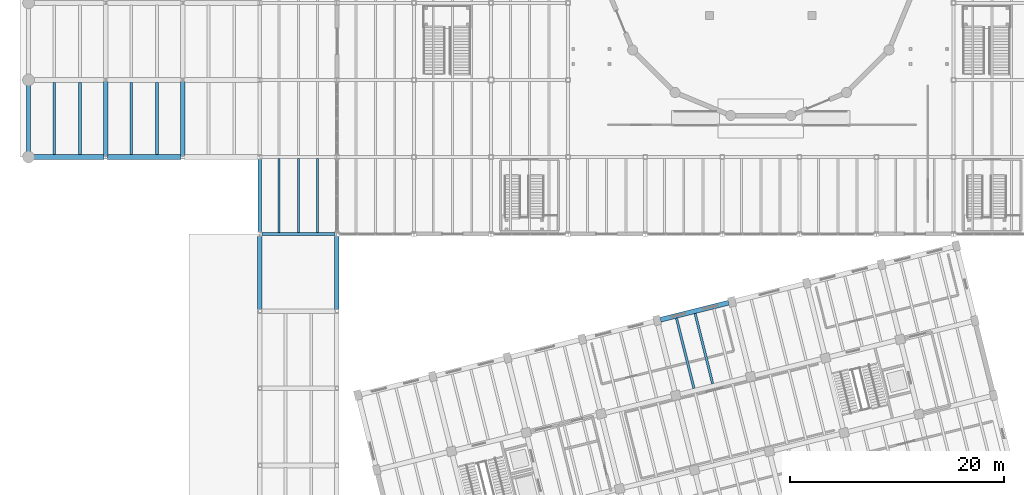
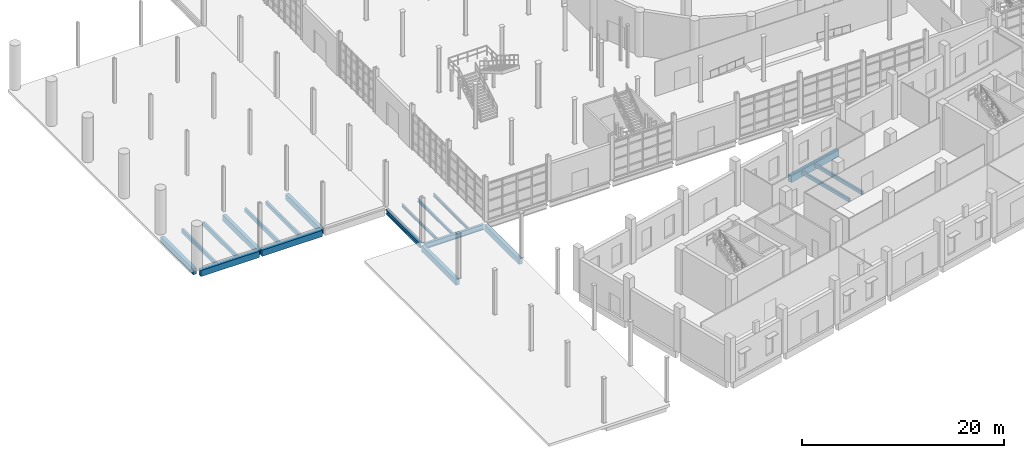
# One storey, part 19 of 79: 19 beams.
"""IFC4 building model written with IfcOpenShell, lengths in metres."""

from ifc_helpers import new_model, si_unit, direction, frame, origin, origin_2d, place, context, subcontext, project, spatial, rectangle, i_section, extrude, material, material_profile, profile_set, type_object, element, save


model = new_model("IFC4")

# Units and contexts
model_context = context("Model", 3, precision=1e-05, world=origin(), true_north=direction((0.0, 1.0)))
body_context = subcontext(model_context, "Body", "Model", "MODEL_VIEW")
ifc_project = project(units=[si_unit("LENGTHUNIT", "METRE"), si_unit("AREAUNIT", "SQUARE_METRE"), si_unit("VOLUMEUNIT", "CUBIC_METRE"), si_unit("PLANEANGLEUNIT", "RADIAN"), si_unit("MASSUNIT", "GRAM", prefix="KILO")], contexts=[model_context])

# Site, building, storey
site_placement = place(None, origin())
site = spatial("IfcSite", under=ifc_project, at=site_placement, CompositionType="ELEMENT")
building_placement = place(site_placement, origin())
building = spatial("IfcBuilding", under=site, at=building_placement, Name="Qiaolan Assembly House", CompositionType="ELEMENT")
storey_placement = place(building_placement, origin())
storey = spatial("IfcBuildingStorey", under=building, at=storey_placement, Name="L00", CompositionType="ELEMENT", Elevation=0.0)

# Beams
ifc_material_1 = material(Name="Concrete C40/50", Category="concrete")
ifc_material_profile_1 = material_profile(ifc_material_1, rectangle(XDim=0.39990234375, YDim=0.699951171875, at=origin_2d()), Name="RCB 400x700")
ifc_profile_set_1 = profile_set([ifc_material_profile_1], Name="Concrete C40/50")
beam_type_1 = type_object("IfcBeamType", Name="BM-RC-400x700", PredefinedType="BEAM", material=ifc_profile_set_1)
for number, where, z_axis, x_axis, name in (
    (1, (21.60009765625, 28.965087890625, -0.64990234375), (0.0, 1.0, 0.0), (-1.0, 0.0, 0.0), "GB-05 beam BMY-PS-L00-00-04"),
    (2, (28.800048828125, 28.965087890625, -0.64990234375), (0.0, 1.0, 0.0), (-1.0, 0.0, 0.0), "GB-05 beam BMY-PS-L00-01-04"),
):
    element("IfcBeam", number, at=place(storey_placement, frame(where, z_axis=z_axis, x_axis=x_axis)), inside=storey, type_object=beam_type_1, Name=name, PredefinedType="BEAM", context=body_context, shape_type="SweptSolid", body=[
        extrude(rectangle(XDim=0.39990234375, YDim=0.699951171875, at=origin_2d()), origin(), (0.0, 0.0, 1.0), 6.844970703125),
    ])
beam_1_placement = place(storey_placement, frame((0.0, 43.56494140625, -0.64990234375), z_axis=(0.0, 1.0, 0.0), x_axis=(-1.0, 0.0, 0.0)))
element("IfcBeam", 3, at=beam_1_placement, inside=storey, type_object=beam_type_1, Name="GB-05 beam BMY-PT0-L00-00-00", PredefinedType="BEAM", context=body_context, shape_type="SweptSolid", body=[
    extrude(rectangle(XDim=0.39990234375, YDim=0.699951171875, at=origin_2d()), origin(), (0.0, 0.0, 1.0), 6.469970703125),
])
for number, where, z_axis, x_axis, name in (
    (4, (7.199951171875, 43.340087890625, -0.64990234375), (0.0, 1.0, 0.0), (-1.0, 0.0, 0.0), "GB-05 beam BMY-PT0-L00-01-00"),
    (5, (14.39990234375, 43.340087890625, -0.64990234375), (0.0, 1.0, 0.0), (-1.0, 0.0, 0.0), "GB-05 beam BMY-PT0-L00-02-00"),
):
    element("IfcBeam", number, at=place(storey_placement, frame(where, z_axis=z_axis, x_axis=x_axis)), inside=storey, type_object=beam_type_1, Name=name, PredefinedType="BEAM", context=body_context, shape_type="SweptSolid", body=[
        extrude(rectangle(XDim=0.39990234375, YDim=0.699951171875, at=origin_2d()), origin(), (0.0, 0.0, 1.0), 6.919921875),
    ])
ifc_material_profile_2 = material_profile(ifc_material_1, rectangle(XDim=0.449951171875, YDim=0.75, at=origin_2d()), Name="RCB 450x750")
ifc_profile_set_2 = profile_set([ifc_material_profile_2], Name="Concrete C40/50")
beam_type_2 = type_object("IfcBeamType", Name="BM-RC-450x750", PredefinedType="BEAM", material=ifc_profile_set_2)
beam_2_placement = place(storey_placement, frame((0.364990234375, 43.199951171875, -0.675048828125), z_axis=(1.0, 0.0, 0.0), x_axis=(0.0, 1.0, 0.0)))
element("IfcBeam", 6, at=beam_2_placement, inside=storey, type_object=beam_type_2, Name="GB-04 beam BMX-PT0-L00-00-00", PredefinedType="BEAM", context=body_context, shape_type="SweptSolid", body=[
    extrude(rectangle(XDim=0.449951171875, YDim=0.75, at=origin_2d()), origin(), (0.0, 0.0, 1.0), 6.695068359375),
])
beam_3_placement = place(storey_placement, frame((7.340087890625, 43.199951171875, -0.675048828125), z_axis=(1.0, 0.0, 0.0), x_axis=(0.0, 1.0, 0.0)))
element("IfcBeam", 7, at=beam_3_placement, inside=storey, type_object=beam_type_2, Name="GB-04 beam BMX-PT0-L00-01-00", PredefinedType="BEAM", context=body_context, shape_type="SweptSolid", body=[
    extrude(rectangle(XDim=0.449951171875, YDim=0.75, at=origin_2d()), origin(), (0.0, 0.0, 1.0), 6.919921875),
])
ifc_material_profile_3 = material_profile(ifc_material_1, rectangle(XDim=0.449951171875, YDim=0.800048828125, at=origin_2d()), Name="RCB 450x800")
ifc_profile_set_3 = profile_set([ifc_material_profile_3], Name="Concrete C40/50")
beam_type_3 = type_object("IfcBeamType", Name="BM-RC-450x800", PredefinedType="BEAM", material=ifc_profile_set_3)
beam_4_placement = place(storey_placement, frame((59.024658203125, 28.001953125, -0.64990234375), z_axis=(0.970297501204, 0.24191477664, 0.0), x_axis=(-0.24191477664, 0.970297501204, 0.0)))
element("IfcBeam", 8, at=beam_4_placement, inside=storey, type_object=beam_type_3, Name="GB-03 beam BMU-SE-L00-04-03", PredefinedType="BEAM", context=body_context, shape_type="SweptSolid", body=[
    extrude(rectangle(XDim=0.449951171875, YDim=0.800048828125, at=origin_2d()), origin(), (0.0, 0.0, 1.0), 6.56982421875),
])
ifc_material_2 = material(Name="Steel Q355B", Category="steel")
ifc_material_profile_4 = material_profile(ifc_material_2, i_section(OverallWidth=0.300048828125, OverallDepth=0.5400390625, WebThickness=0.010986328125, FlangeThickness=0.01806640625, FilletRadius=0.02001953125, at=origin_2d()), Name="HM 540x300x11x18")
ifc_profile_set_4 = profile_set([ifc_material_profile_4], Name="Steel Q355B")
beam_type_4 = type_object("IfcBeamType", Name="BM-STL-HM540", PredefinedType="BEAM", material=ifc_profile_set_4)
beam_5_placement = place(storey_placement, frame((21.60009765625, 36.18994140625, -0.570068359375), z_axis=(0.0, 1.0, 0.0), x_axis=(-1.0, 0.0, 0.0)))
element("IfcBeam", 9, at=beam_5_placement, inside=storey, type_object=beam_type_4, Name="SB-12 beam BMY-HL-L00-00-00", PredefinedType="BEAM", context=body_context, shape_type="SweptSolid", body=[
    extrude(i_section(OverallWidth=0.300048828125, OverallDepth=0.5400390625, WebThickness=0.010986328125, FlangeThickness=0.01806640625, FilletRadius=0.02001953125, at=origin_2d()), origin(), (0.0, 0.0, 1.0), 6.820068359375),
])
ifc_material_profile_5 = material_profile(ifc_material_2, i_section(OverallWidth=0.280029296875, OverallDepth=0.64990234375, WebThickness=0.011962890625, FlangeThickness=0.02197265625, FilletRadius=0.02197265625, at=origin_2d()), Name="HN 650x280x12x22")
ifc_profile_set_5 = profile_set([ifc_material_profile_5], Name="Steel Q355B")
beam_type_5 = type_object("IfcBeamType", Name="BM-STL-HN650", PredefinedType="BEAM", material=ifc_profile_set_5)
beam_6_placement = place(storey_placement, frame((21.7900390625, 36.0, -0.625), z_axis=(1.0, 0.0, 0.0), x_axis=(0.0, 1.0, 0.0)))
element("IfcBeam", 10, at=beam_6_placement, inside=storey, type_object=beam_type_5, Name="SB-10 beam BMX-HL-L00-00-00", PredefinedType="BEAM", context=body_context, shape_type="SweptSolid", body=[
    extrude(i_section(OverallWidth=0.280029296875, OverallDepth=0.64990234375, WebThickness=0.011962890625, FlangeThickness=0.02197265625, FilletRadius=0.02197265625, at=origin_2d()), origin(), (0.0, 0.0, 1.0), 6.820068359375),
])
ifc_material_profile_6 = material_profile(ifc_material_1, rectangle(XDim=0.219970703125, YDim=0.419921875, at=origin_2d()), Name="RCB 220x420")
ifc_profile_set_6 = profile_set([ifc_material_profile_6], Name="Concrete C40/50")
beam_type_6 = type_object("IfcBeamType", Name="JST-RC-220x420", PredefinedType="JOIST", material=ifc_profile_set_6)
beam_7_placement = place(storey_placement, frame((62.154296875, 21.587646484375, -0.4599609375), z_axis=(-0.241906913479, 0.970299461615, 0.0), x_axis=(-0.970299461615, -0.241906913479, 0.0)))
element("IfcBeam", 11, at=beam_7_placement, inside=storey, type_object=beam_type_6, Name="RJ-03 beam JST-SE-L00-04-02-1", PredefinedType="JOIST", context=body_context, shape_type="SweptSolid", body=[
    extrude(rectangle(XDim=0.219970703125, YDim=0.419921875, at=origin_2d()), origin(), (0.0, 0.0, 1.0), 6.761962890625),
])
beam_8_placement = place(storey_placement, frame((63.90087890625, 22.02294921875, -0.4599609375), z_axis=(-0.241898439004, 0.970301574361, 0.0), x_axis=(-0.970301574361, -0.241898439004, 0.0)))
element("IfcBeam", 12, at=beam_8_placement, inside=storey, type_object=beam_type_6, Name="RJ-03 beam JST-SE-L00-04-02-2", PredefinedType="JOIST", context=body_context, shape_type="SweptSolid", body=[
    extrude(rectangle(XDim=0.219970703125, YDim=0.419921875, at=origin_2d()), origin(), (0.0, 0.0, 1.0), 6.76220703125),
])
ifc_material_profile_7 = material_profile(ifc_material_1, rectangle(XDim=0.25, YDim=0.449951171875, at=origin_2d()), Name="RCB 250x450")
ifc_profile_set_7 = profile_set([ifc_material_profile_7], Name="Concrete C40/50")
beam_type_7 = type_object("IfcBeamType", Name="JST-RC-250x450", PredefinedType="JOIST", material=ifc_profile_set_7)
for number, where, z_axis, x_axis, name in (
    (13, (2.39990234375, 43.4189453125, -0.52490234375), (0.0, 1.0, 0.0), (-1.0, 0.0, 0.0), "RJ-02 beam JST-PT0-L00-00-00-1"),
    (14, (4.800048828125, 43.4189453125, -0.52490234375), (0.0, 1.0, 0.0), (-1.0, 0.0, 0.0), "RJ-02 beam JST-PT0-L00-00-00-2"),
    (15, (9.60009765625, 43.4189453125, -0.52490234375), (0.0, 1.0, 0.0), (-1.0, 0.0, 0.0), "RJ-02 beam JST-PT0-L00-01-00-1"),
    (16, (12.0, 43.4189453125, -0.52490234375), (0.0, 1.0, 0.0), (-1.0, 0.0, 0.0), "RJ-02 beam JST-PT0-L00-01-00-2"),
):
    element("IfcBeam", number, at=place(storey_placement, frame(where, z_axis=z_axis, x_axis=x_axis)), inside=storey, type_object=beam_type_7, Name=name, PredefinedType="JOIST", context=body_context, shape_type="SweptSolid", body=[
        extrude(rectangle(XDim=0.25, YDim=0.449951171875, at=origin_2d()), origin(), (0.0, 0.0, 1.0), 6.761962890625),
    ])
ifc_material_profile_8 = material_profile(ifc_material_2, i_section(OverallWidth=0.175048828125, OverallDepth=0.35009765625, WebThickness=0.007080078125, FlangeThickness=0.010986328125, FilletRadius=0.013916015625, at=origin_2d()), Name="HN 350x175x7x11")
ifc_profile_set_8 = profile_set([ifc_material_profile_8], Name="Steel Q355B")
beam_type_8 = type_object("IfcBeamType", Name="JST-STL-HN350", PredefinedType="JOIST", material=ifc_profile_set_8)
for number, where, z_axis, x_axis, name in (
    (17, (23.39990234375, 36.134033203125, -0.47509765625), (0.0, 1.0, 0.0), (-1.0, 0.0, 0.0), "SJ-01 beam JST-HL-L00-00-00-1"),
    (18, (25.199951171875, 36.134033203125, -0.47509765625), (0.0, 1.0, 0.0), (-1.0, 0.0, 0.0), "SJ-01 beam JST-HL-L00-00-00-2"),
    (19, (27.0, 36.134033203125, -0.47509765625), (0.0, 1.0, 0.0), (-1.0, 0.0, 0.0), "SJ-01 beam JST-HL-L00-00-00-3"),
):
    element("IfcBeam", number, at=place(storey_placement, frame(where, z_axis=z_axis, x_axis=x_axis)), inside=storey, type_object=beam_type_8, Name=name, PredefinedType="JOIST", context=body_context, shape_type="SweptSolid", body=[
        extrude(i_section(OverallWidth=0.175048828125, OverallDepth=0.35009765625, WebThickness=0.007080078125, FlangeThickness=0.010986328125, FilletRadius=0.013916015625, at=origin_2d()), origin(), (0.0, 0.0, 1.0), 6.931884765625),
    ])

save(model, "model.ifc")
